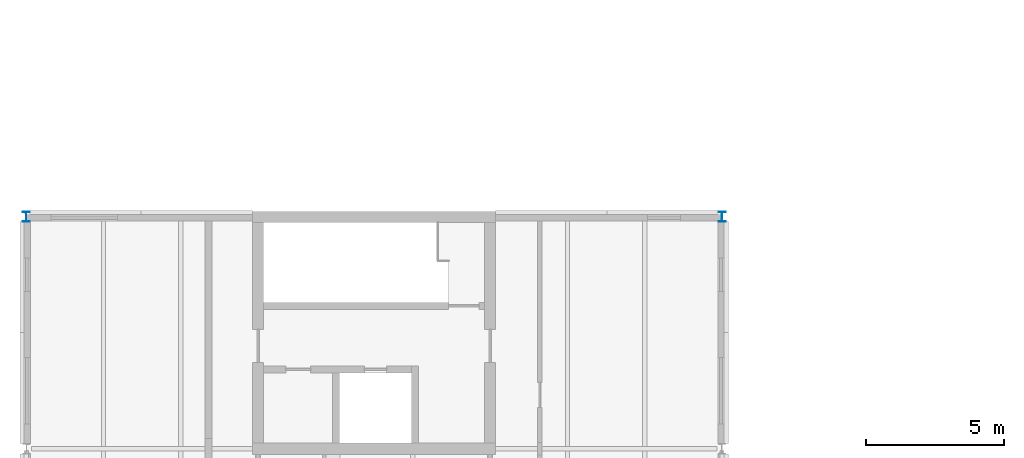
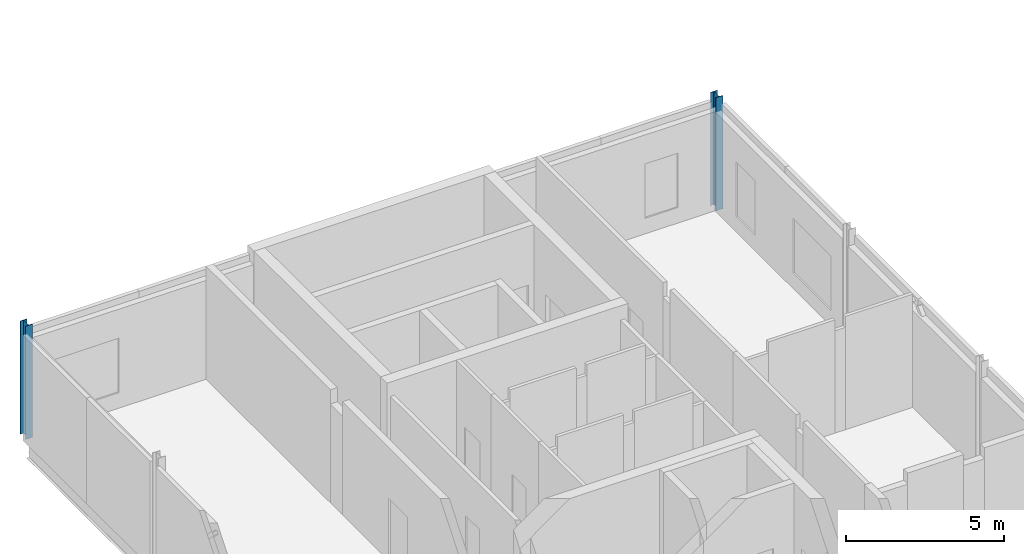
# One storey, part 2 of 26: 2 columns.
"""IFC4 building model written with IfcOpenShell, lengths in metres."""

from ifc_helpers import new_model, si_unit, direction, frame, origin, origin_2d, place, context, subcontext, project, spatial, i_section, extrude, material, material_profile, profile_set, type_object, element, save


model = new_model("IFC4")

# Units and contexts
model_context = context("Model", 3, precision=1e-05, world=origin(), true_north=direction((0.0, 1.0)))
body_context = subcontext(model_context, "Body", "Model", "MODEL_VIEW")
ifc_project = project(units=[si_unit("LENGTHUNIT", "METRE"), si_unit("AREAUNIT", "SQUARE_METRE"), si_unit("VOLUMEUNIT", "CUBIC_METRE"), si_unit("PLANEANGLEUNIT", "RADIAN"), si_unit("MASSUNIT", "GRAM", prefix="KILO")], contexts=[model_context])

# Site, building, storey
site_placement = place(None, origin())
site = spatial("IfcSite", under=ifc_project, at=site_placement, CompositionType="ELEMENT")
building_placement = place(site_placement, origin())
building = spatial("IfcBuilding", under=site, at=building_placement, Name="Hlaing Beacon Police Headquarters", CompositionType="ELEMENT")
storey_placement = place(building_placement, frame((0.0, 0.0, 23.39990234375)))
storey = spatial("IfcBuildingStorey", under=building, at=storey_placement, Name="L05", CompositionType="ELEMENT", Elevation=23.39990234375)

# Columns
ifc_material = material(Name="Steel ASTM A992 Grade 50", Category="steel")
ifc_material_profile = material_profile(ifc_material, i_section(OverallWidth=0.25390625, OverallDepth=0.35302734375, WebThickness=0.009521484375, FlangeThickness=0.016357421875, FilletRadius=0.01513671875, at=origin_2d()), Name="W14x61")
ifc_profile_set = profile_set([ifc_material_profile], Name="Steel ASTM A992 Grade 50")
column_type = type_object("IfcColumnType", Name="Steel column W14x61", PredefinedType="COLUMN", material=ifc_profile_set)
for number, where, z_axis, x_axis, name in (
    (1, (8.39990234375, 67.199951171875, 0.0), (0.0, 0.0, 1.0), (1.0, 0.0, 0.0), "STR-COL-L05-B9"),
    (2, (33.60009765625, 67.199951171875, 0.0), (0.0, 0.0, 1.0), (1.0, 0.0, 0.0), "STR-COL-L05-E9"),
):
    element("IfcColumn", number, at=place(storey_placement, frame(where, z_axis=z_axis, x_axis=x_axis)), inside=storey, type_object=column_type, Name=name, PredefinedType="COLUMN", context=body_context, shape_type="SweptSolid", body=[
        extrude(i_section(OverallWidth=0.25390625, OverallDepth=0.35302734375, WebThickness=0.009521484375, FlangeThickness=0.016357421875, FilletRadius=0.01513671875, at=origin_2d()), origin(), (0.0, 0.0, 1.0), 4.3701171875),
    ])

save(model, "model.ifc")
